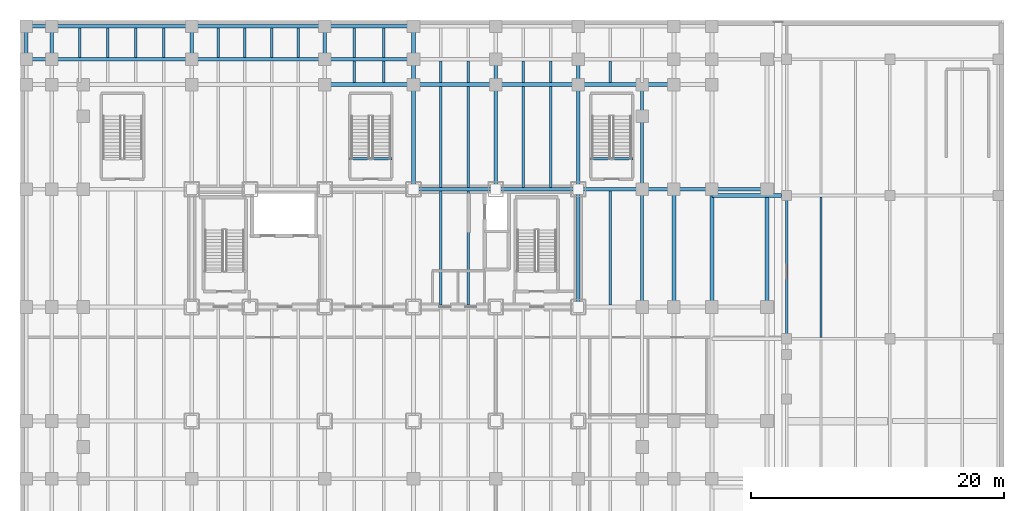
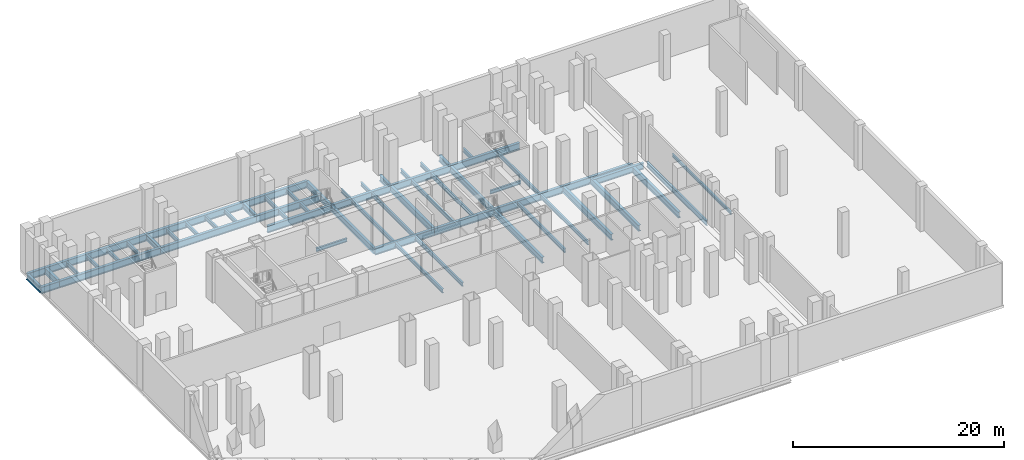
# One storey, part 5 of 15: 63 beams.
"""IFC4 building model written with IfcOpenShell, lengths in metres."""

from ifc_helpers import new_model, si_unit, direction, frame, origin, origin_2d, place, context, subcontext, project, spatial, i_section, extrude, material, material_profile, profile_set, type_object, element, save


model = new_model("IFC4")

# Units and contexts
model_context = context("Model", 3, precision=1e-05, world=origin(), true_north=direction((0.0, 1.0)))
body_context = subcontext(model_context, "Body", "Model", "MODEL_VIEW")
ifc_project = project(units=[si_unit("LENGTHUNIT", "METRE"), si_unit("AREAUNIT", "SQUARE_METRE"), si_unit("VOLUMEUNIT", "CUBIC_METRE"), si_unit("PLANEANGLEUNIT", "RADIAN"), si_unit("MASSUNIT", "GRAM", prefix="KILO")], contexts=[model_context])

# Site, building, storey
site_placement = place(None, origin())
site = spatial("IfcSite", under=ifc_project, at=site_placement, CompositionType="ELEMENT")
building_placement = place(site_placement, origin())
building = spatial("IfcBuilding", under=site, at=building_placement, Name="Noeulbin Bourse Tower", CompositionType="ELEMENT")
storey_placement = place(building_placement, frame((0.0, 0.0, -10.199951171875)))
storey = spatial("IfcBuildingStorey", under=building, at=storey_placement, Name="B02", CompositionType="ELEMENT", Elevation=-10.199951171875)

# Beams
ifc_material = material(Name="Steel S355", Category="steel")
ifc_material_profile_1 = material_profile(ifc_material, i_section(OverallWidth=0.199951171875, OverallDepth=0.60009765625, WebThickness=0.010986328125, FlangeThickness=0.01708984375, FilletRadius=0.02197265625, at=origin_2d()), Name="H-600x200x11x17", Category="LoadBearing")
ifc_profile_set_1 = profile_set([ifc_material_profile_1], Name="Steel S355")
beam_type_1 = type_object("IfcBeamType", Name="BM-GRD-600", PredefinedType="USERDEFINED", material=ifc_profile_set_1)
beam_1_placement = place(storey_placement, frame((60.449951171875, 26.5, -0.580078125), z_axis=(0.0, 1.0, 0.0), x_axis=(-1.0, 0.0, 0.0)))
element("IfcBeam", 1, at=beam_1_placement, inside=storey, type_object=beam_type_1, Name="Market Hall Girder NS B02-13", ObjectType="GIRDER", PredefinedType="USERDEFINED", context=body_context, shape_type="SweptSolid", body=[
    extrude(i_section(OverallWidth=0.199951171875, OverallDepth=0.60009765625, WebThickness=0.010986328125, FlangeThickness=0.01708984375, FilletRadius=0.02197265625, at=origin_2d()), origin(), (0.0, 0.0, 1.0), 11.300048828125),
])
ifc_material_profile_2 = material_profile(ifc_material, i_section(OverallWidth=0.300048828125, OverallDepth=0.699951171875, WebThickness=0.012939453125, FlangeThickness=0.02392578125, FilletRadius=0.02392578125, at=origin_2d()), Name="H-700x300x13x24", Category="LoadBearing")
ifc_profile_set_2 = profile_set([ifc_material_profile_2], Name="Steel S355")
beam_type_2 = type_object("IfcBeamType", Name="BM-GRD-700", PredefinedType="USERDEFINED", material=ifc_profile_set_2)
for number, where, z_axis, x_axis, name in (
    (2, (0.449951171875, 48.550048828125, -0.630126953125), (0.0, 1.0, 0.0), (-1.0, 0.0, 0.0), "Podium Primary Girder NS B02-080"),
    (3, (2.449951171875, 48.550048828125, -0.630126953125), (0.0, 1.0, 0.0), (-1.0, 0.0, 0.0), "Podium Primary Girder NS B02-088"),
    (4, (13.5, 48.550048828125, -0.630126953125), (0.0, 1.0, 0.0), (-1.0, 0.0, 0.0), "Podium Primary Girder NS B02-096"),
    (5, (24.0, 48.550048828125, -0.630126953125), (0.0, 1.0, 0.0), (-1.0, 0.0, 0.0), "Podium Primary Girder NS B02-104"),
):
    element("IfcBeam", number, at=place(storey_placement, frame(where, z_axis=z_axis, x_axis=x_axis)), inside=storey, type_object=beam_type_2, Name=name, ObjectType="GIRDER", PredefinedType="USERDEFINED", context=body_context, shape_type="SweptSolid", body=[
        extrude(i_section(OverallWidth=0.300048828125, OverallDepth=0.699951171875, WebThickness=0.012939453125, FlangeThickness=0.02392578125, FilletRadius=0.02392578125, at=origin_2d()), origin(), (0.0, 0.0, 1.0), 2.599853515625),
    ])
beam_2_placement = place(storey_placement, frame((31.0, 38.300048828125, -0.630126953125), z_axis=(0.0, 1.0, 0.0), x_axis=(-1.0, 0.0, 0.0)))
element("IfcBeam", 6, at=beam_2_placement, inside=storey, type_object=beam_type_2, Name="Podium Primary Girder NS B02-110", ObjectType="GIRDER", PredefinedType="USERDEFINED", context=body_context, shape_type="SweptSolid", body=[
    extrude(i_section(OverallWidth=0.300048828125, OverallDepth=0.699951171875, WebThickness=0.012939453125, FlangeThickness=0.02392578125, FilletRadius=0.02392578125, at=origin_2d()), origin(), (0.0, 0.0, 1.0), 8.25),
])
beam_3_placement = place(storey_placement, frame((31.0, 46.550048828125, -0.630126953125), z_axis=(0.0, 1.0, 0.0), x_axis=(-1.0, 0.0, 0.0)))
element("IfcBeam", 7, at=beam_3_placement, inside=storey, type_object=beam_type_2, Name="Podium Primary Girder NS B02-111", ObjectType="GIRDER", PredefinedType="USERDEFINED", context=body_context, shape_type="SweptSolid", body=[
    extrude(i_section(OverallWidth=0.300048828125, OverallDepth=0.699951171875, WebThickness=0.012939453125, FlangeThickness=0.02392578125, FilletRadius=0.02392578125, at=origin_2d()), origin(), (0.0, 0.0, 1.0), 2.0),
])
beam_4_placement = place(storey_placement, frame((31.0, 48.550048828125, -0.630126953125), z_axis=(0.0, 1.0, 0.0), x_axis=(-1.0, 0.0, 0.0)))
element("IfcBeam", 8, at=beam_4_placement, inside=storey, type_object=beam_type_2, Name="Podium Primary Girder NS B02-112", ObjectType="GIRDER", PredefinedType="USERDEFINED", context=body_context, shape_type="SweptSolid", body=[
    extrude(i_section(OverallWidth=0.300048828125, OverallDepth=0.699951171875, WebThickness=0.012939453125, FlangeThickness=0.02392578125, FilletRadius=0.02392578125, at=origin_2d()), origin(), (0.0, 0.0, 1.0), 2.599853515625),
])
beam_5_placement = place(storey_placement, frame((37.5, 38.300048828125, -0.630126953125), z_axis=(0.0, 1.0, 0.0), x_axis=(-1.0, 0.0, 0.0)))
element("IfcBeam", 9, at=beam_5_placement, inside=storey, type_object=beam_type_2, Name="Podium Primary Girder NS B02-117", ObjectType="GIRDER", PredefinedType="USERDEFINED", context=body_context, shape_type="SweptSolid", body=[
    extrude(i_section(OverallWidth=0.300048828125, OverallDepth=0.699951171875, WebThickness=0.012939453125, FlangeThickness=0.02392578125, FilletRadius=0.02392578125, at=origin_2d()), origin(), (0.0, 0.0, 1.0), 8.25),
])
beam_6_placement = place(storey_placement, frame((37.5, 46.550048828125, -0.630126953125), z_axis=(0.0, 1.0, 0.0), x_axis=(-1.0, 0.0, 0.0)))
element("IfcBeam", 10, at=beam_6_placement, inside=storey, type_object=beam_type_2, Name="Podium Primary Girder NS B02-118", ObjectType="GIRDER", PredefinedType="USERDEFINED", context=body_context, shape_type="SweptSolid", body=[
    extrude(i_section(OverallWidth=0.300048828125, OverallDepth=0.699951171875, WebThickness=0.012939453125, FlangeThickness=0.02392578125, FilletRadius=0.02392578125, at=origin_2d()), origin(), (0.0, 0.0, 1.0), 2.0),
])
beam_7_placement = place(storey_placement, frame((44.0, 29.0, -0.630126953125), z_axis=(0.0, 1.0, 0.0), x_axis=(-1.0, 0.0, 0.0)))
element("IfcBeam", 11, at=beam_7_placement, inside=storey, type_object=beam_type_2, Name="Podium Primary Girder NS B02-124", ObjectType="GIRDER", PredefinedType="USERDEFINED", context=body_context, shape_type="SweptSolid", body=[
    extrude(i_section(OverallWidth=0.300048828125, OverallDepth=0.699951171875, WebThickness=0.012939453125, FlangeThickness=0.02392578125, FilletRadius=0.02392578125, at=origin_2d()), origin(), (0.0, 0.0, 1.0), 9.300048828125),
])
beam_8_placement = place(storey_placement, frame((44.0, 38.300048828125, -0.630126953125), z_axis=(0.0, 1.0, 0.0), x_axis=(-1.0, 0.0, 0.0)))
element("IfcBeam", 12, at=beam_8_placement, inside=storey, type_object=beam_type_2, Name="Podium Primary Girder NS B02-125", ObjectType="GIRDER", PredefinedType="USERDEFINED", context=body_context, shape_type="SweptSolid", body=[
    extrude(i_section(OverallWidth=0.300048828125, OverallDepth=0.699951171875, WebThickness=0.012939453125, FlangeThickness=0.02392578125, FilletRadius=0.02392578125, at=origin_2d()), origin(), (0.0, 0.0, 1.0), 8.25),
])
beam_9_placement = place(storey_placement, frame((44.0, 46.550048828125, -0.630126953125), z_axis=(0.0, 1.0, 0.0), x_axis=(-1.0, 0.0, 0.0)))
element("IfcBeam", 13, at=beam_9_placement, inside=storey, type_object=beam_type_2, Name="Podium Primary Girder NS B02-126", ObjectType="GIRDER", PredefinedType="USERDEFINED", context=body_context, shape_type="SweptSolid", body=[
    extrude(i_section(OverallWidth=0.300048828125, OverallDepth=0.699951171875, WebThickness=0.012939453125, FlangeThickness=0.02392578125, FilletRadius=0.02392578125, at=origin_2d()), origin(), (0.0, 0.0, 1.0), 2.0),
])
for number, where, z_axis, x_axis, name in (
    (14, (51.550048828125, 29.0, -0.630126953125), (0.0, 1.0, 0.0), (-1.0, 0.0, 0.0), "Podium Primary Girder NS B02-132"),
    (15, (54.550048828125, 29.0, -0.630126953125), (0.0, 1.0, 0.0), (-1.0, 0.0, 0.0), "Podium Primary Girder NS B02-140"),
):
    element("IfcBeam", number, at=place(storey_placement, frame(where, z_axis=z_axis, x_axis=x_axis)), inside=storey, type_object=beam_type_2, Name=name, ObjectType="GIRDER", PredefinedType="USERDEFINED", context=body_context, shape_type="SweptSolid", body=[
        extrude(i_section(OverallWidth=0.300048828125, OverallDepth=0.699951171875, WebThickness=0.012939453125, FlangeThickness=0.02392578125, FilletRadius=0.02392578125, at=origin_2d()), origin(), (0.0, 0.0, 1.0), 9.300048828125),
    ])
beam_10_placement = place(storey_placement, frame((54.550048828125, 37.800048828125, -0.630126953125), z_axis=(1.0, 0.0, 0.0), x_axis=(0.0, 1.0, 0.0)))
element("IfcBeam", 16, at=beam_10_placement, inside=storey, type_object=beam_type_2, Name="Concourse Slot Girder B02-04", ObjectType="GIRDER", PredefinedType="USERDEFINED", context=body_context, shape_type="SweptSolid", body=[
    extrude(i_section(OverallWidth=0.300048828125, OverallDepth=0.699951171875, WebThickness=0.012939453125, FlangeThickness=0.02392578125, FilletRadius=0.02392578125, at=origin_2d()), origin(), (0.0, 0.0, 1.0), 5.5),
])
beam_11_placement = place(storey_placement, frame((54.550048828125, 38.300048828125, -0.630126953125), z_axis=(1.0, 0.0, 0.0), x_axis=(0.0, 1.0, 0.0)))
element("IfcBeam", 17, at=beam_11_placement, inside=storey, type_object=beam_type_2, Name="BM-B02-JNT-EW-5", ObjectType="GIRDER", PredefinedType="USERDEFINED", context=body_context, shape_type="SweptSolid", body=[
    extrude(i_section(OverallWidth=0.300048828125, OverallDepth=0.699951171875, WebThickness=0.012939453125, FlangeThickness=0.02392578125, FilletRadius=0.02392578125, at=origin_2d()), origin(), (0.0, 0.0, 1.0), 4.349853515625),
])
beam_12_placement = place(storey_placement, frame((58.89990234375, 29.0, -0.630126953125), z_axis=(0.0, 1.0, 0.0), x_axis=(-1.0, 0.0, 0.0)))
element("IfcBeam", 18, at=beam_12_placement, inside=storey, type_object=beam_type_2, Name="BM-B02-JNT-NS-4", ObjectType="GIRDER", PredefinedType="USERDEFINED", context=body_context, shape_type="SweptSolid", body=[
    extrude(i_section(OverallWidth=0.300048828125, OverallDepth=0.699951171875, WebThickness=0.012939453125, FlangeThickness=0.02392578125, FilletRadius=0.02392578125, at=origin_2d()), origin(), (0.0, 0.0, 1.0), 9.300048828125),
])
ifc_material_profile_3 = material_profile(ifc_material, i_section(OverallWidth=0.300048828125, OverallDepth=0.800048828125, WebThickness=0.013916015625, FlangeThickness=0.02587890625, FilletRadius=0.02587890625, at=origin_2d()), Name="H-800x300x14x26", Category="LoadBearing")
ifc_profile_set_3 = profile_set([ifc_material_profile_3], Name="Steel S355")
beam_type_3 = type_object("IfcBeamType", Name="BM-GRD-800", PredefinedType="USERDEFINED", material=ifc_profile_set_3)
for number, where, z_axis, x_axis, name in (
    (19, (31.0, 38.300048828125, -0.679931640625), (1.0, 0.0, 0.0), (0.0, 1.0, 0.0), "Podium Primary Girder EW B02-045"),
    (20, (37.5, 38.300048828125, -0.679931640625), (1.0, 0.0, 0.0), (0.0, 1.0, 0.0), "Podium Primary Girder EW B02-046"),
):
    element("IfcBeam", number, at=place(storey_placement, frame(where, z_axis=z_axis, x_axis=x_axis)), inside=storey, type_object=beam_type_3, Name=name, ObjectType="GIRDER", PredefinedType="USERDEFINED", context=body_context, shape_type="SweptSolid", body=[
        extrude(i_section(OverallWidth=0.300048828125, OverallDepth=0.800048828125, WebThickness=0.013916015625, FlangeThickness=0.02587890625, FilletRadius=0.02587890625, at=origin_2d()), origin(), (0.0, 0.0, 1.0), 6.5),
    ])
beam_13_placement = place(storey_placement, frame((44.0, 38.300048828125, -0.679931640625), z_axis=(1.0, 0.0, 0.0), x_axis=(0.0, 1.0, 0.0)))
element("IfcBeam", 21, at=beam_13_placement, inside=storey, type_object=beam_type_3, Name="Podium Primary Girder EW B02-047", ObjectType="GIRDER", PredefinedType="USERDEFINED", context=body_context, shape_type="SweptSolid", body=[
    extrude(i_section(OverallWidth=0.300048828125, OverallDepth=0.800048828125, WebThickness=0.013916015625, FlangeThickness=0.02587890625, FilletRadius=0.02587890625, at=origin_2d()), origin(), (0.0, 0.0, 1.0), 7.550048828125),
])
beam_14_placement = place(storey_placement, frame((51.550048828125, 38.300048828125, -0.679931640625), z_axis=(1.0, 0.0, 0.0), x_axis=(0.0, 1.0, 0.0)))
element("IfcBeam", 22, at=beam_14_placement, inside=storey, type_object=beam_type_3, Name="Podium Primary Girder EW B02-048", ObjectType="GIRDER", PredefinedType="USERDEFINED", context=body_context, shape_type="SweptSolid", body=[
    extrude(i_section(OverallWidth=0.300048828125, OverallDepth=0.800048828125, WebThickness=0.013916015625, FlangeThickness=0.02587890625, FilletRadius=0.02587890625, at=origin_2d()), origin(), (0.0, 0.0, 1.0), 3.0),
])
beam_15_placement = place(storey_placement, frame((24.0, 46.550048828125, -0.679931640625), z_axis=(1.0, 0.0, 0.0), x_axis=(0.0, 1.0, 0.0)))
element("IfcBeam", 23, at=beam_15_placement, inside=storey, type_object=beam_type_3, Name="Podium Primary Girder EW B02-052", ObjectType="GIRDER", PredefinedType="USERDEFINED", context=body_context, shape_type="SweptSolid", body=[
    extrude(i_section(OverallWidth=0.300048828125, OverallDepth=0.800048828125, WebThickness=0.013916015625, FlangeThickness=0.02587890625, FilletRadius=0.02587890625, at=origin_2d()), origin(), (0.0, 0.0, 1.0), 7.0),
])
for number, where, z_axis, x_axis, name in (
    (24, (31.0, 46.550048828125, -0.679931640625), (1.0, 0.0, 0.0), (0.0, 1.0, 0.0), "Podium Primary Girder EW B02-053"),
    (25, (37.5, 46.550048828125, -0.679931640625), (1.0, 0.0, 0.0), (0.0, 1.0, 0.0), "Podium Primary Girder EW B02-054"),
):
    element("IfcBeam", number, at=place(storey_placement, frame(where, z_axis=z_axis, x_axis=x_axis)), inside=storey, type_object=beam_type_3, Name=name, ObjectType="GIRDER", PredefinedType="USERDEFINED", context=body_context, shape_type="SweptSolid", body=[
        extrude(i_section(OverallWidth=0.300048828125, OverallDepth=0.800048828125, WebThickness=0.013916015625, FlangeThickness=0.02587890625, FilletRadius=0.02587890625, at=origin_2d()), origin(), (0.0, 0.0, 1.0), 6.5),
    ])
beam_16_placement = place(storey_placement, frame((44.0, 46.550048828125, -0.679931640625), z_axis=(1.0, 0.0, 0.0), x_axis=(0.0, 1.0, 0.0)))
element("IfcBeam", 26, at=beam_16_placement, inside=storey, type_object=beam_type_3, Name="Podium Primary Girder EW B02-055", ObjectType="GIRDER", PredefinedType="USERDEFINED", context=body_context, shape_type="SweptSolid", body=[
    extrude(i_section(OverallWidth=0.300048828125, OverallDepth=0.800048828125, WebThickness=0.013916015625, FlangeThickness=0.02587890625, FilletRadius=0.02587890625, at=origin_2d()), origin(), (0.0, 0.0, 1.0), 7.550048828125),
])
beam_17_placement = place(storey_placement, frame((0.449951171875, 48.550048828125, -0.679931640625), z_axis=(1.0, 0.0, 0.0), x_axis=(0.0, 1.0, 0.0)))
element("IfcBeam", 27, at=beam_17_placement, inside=storey, type_object=beam_type_3, Name="Podium Primary Girder EW B02-057", ObjectType="GIRDER", PredefinedType="USERDEFINED", context=body_context, shape_type="SweptSolid", body=[
    extrude(i_section(OverallWidth=0.300048828125, OverallDepth=0.800048828125, WebThickness=0.013916015625, FlangeThickness=0.02587890625, FilletRadius=0.02587890625, at=origin_2d()), origin(), (0.0, 0.0, 1.0), 2.0),
])
beam_18_placement = place(storey_placement, frame((2.449951171875, 48.550048828125, -0.679931640625), z_axis=(1.0, 0.0, 0.0), x_axis=(0.0, 1.0, 0.0)))
element("IfcBeam", 28, at=beam_18_placement, inside=storey, type_object=beam_type_3, Name="Podium Primary Girder EW B02-058", ObjectType="GIRDER", PredefinedType="USERDEFINED", context=body_context, shape_type="SweptSolid", body=[
    extrude(i_section(OverallWidth=0.300048828125, OverallDepth=0.800048828125, WebThickness=0.013916015625, FlangeThickness=0.02587890625, FilletRadius=0.02587890625, at=origin_2d()), origin(), (0.0, 0.0, 1.0), 11.050048828125),
])
beam_19_placement = place(storey_placement, frame((13.5, 48.550048828125, -0.679931640625), z_axis=(1.0, 0.0, 0.0), x_axis=(0.0, 1.0, 0.0)))
element("IfcBeam", 29, at=beam_19_placement, inside=storey, type_object=beam_type_3, Name="Podium Primary Girder EW B02-059", ObjectType="GIRDER", PredefinedType="USERDEFINED", context=body_context, shape_type="SweptSolid", body=[
    extrude(i_section(OverallWidth=0.300048828125, OverallDepth=0.800048828125, WebThickness=0.013916015625, FlangeThickness=0.02587890625, FilletRadius=0.02587890625, at=origin_2d()), origin(), (0.0, 0.0, 1.0), 10.5),
])
beam_20_placement = place(storey_placement, frame((24.0, 48.550048828125, -0.679931640625), z_axis=(1.0, 0.0, 0.0), x_axis=(0.0, 1.0, 0.0)))
element("IfcBeam", 30, at=beam_20_placement, inside=storey, type_object=beam_type_3, Name="Podium Primary Girder EW B02-060", ObjectType="GIRDER", PredefinedType="USERDEFINED", context=body_context, shape_type="SweptSolid", body=[
    extrude(i_section(OverallWidth=0.300048828125, OverallDepth=0.800048828125, WebThickness=0.013916015625, FlangeThickness=0.02587890625, FilletRadius=0.02587890625, at=origin_2d()), origin(), (0.0, 0.0, 1.0), 7.0),
])
beam_21_placement = place(storey_placement, frame((0.449951171875, 51.14990234375, -0.679931640625), z_axis=(1.0, 0.0, 0.0), x_axis=(0.0, 1.0, 0.0)))
element("IfcBeam", 31, at=beam_21_placement, inside=storey, type_object=beam_type_3, Name="Podium Primary Girder EW B02-065", ObjectType="GIRDER", PredefinedType="USERDEFINED", context=body_context, shape_type="SweptSolid", body=[
    extrude(i_section(OverallWidth=0.300048828125, OverallDepth=0.800048828125, WebThickness=0.013916015625, FlangeThickness=0.02587890625, FilletRadius=0.02587890625, at=origin_2d()), origin(), (0.0, 0.0, 1.0), 2.0),
])
beam_22_placement = place(storey_placement, frame((2.449951171875, 51.14990234375, -0.679931640625), z_axis=(1.0, 0.0, 0.0), x_axis=(0.0, 1.0, 0.0)))
element("IfcBeam", 32, at=beam_22_placement, inside=storey, type_object=beam_type_3, Name="Podium Primary Girder EW B02-066", ObjectType="GIRDER", PredefinedType="USERDEFINED", context=body_context, shape_type="SweptSolid", body=[
    extrude(i_section(OverallWidth=0.300048828125, OverallDepth=0.800048828125, WebThickness=0.013916015625, FlangeThickness=0.02587890625, FilletRadius=0.02587890625, at=origin_2d()), origin(), (0.0, 0.0, 1.0), 11.050048828125),
])
beam_23_placement = place(storey_placement, frame((13.5, 51.14990234375, -0.679931640625), z_axis=(1.0, 0.0, 0.0), x_axis=(0.0, 1.0, 0.0)))
element("IfcBeam", 33, at=beam_23_placement, inside=storey, type_object=beam_type_3, Name="Podium Primary Girder EW B02-067", ObjectType="GIRDER", PredefinedType="USERDEFINED", context=body_context, shape_type="SweptSolid", body=[
    extrude(i_section(OverallWidth=0.300048828125, OverallDepth=0.800048828125, WebThickness=0.013916015625, FlangeThickness=0.02587890625, FilletRadius=0.02587890625, at=origin_2d()), origin(), (0.0, 0.0, 1.0), 10.5),
])
beam_24_placement = place(storey_placement, frame((24.0, 51.14990234375, -0.679931640625), z_axis=(1.0, 0.0, 0.0), x_axis=(0.0, 1.0, 0.0)))
element("IfcBeam", 34, at=beam_24_placement, inside=storey, type_object=beam_type_3, Name="Podium Primary Girder EW B02-068", ObjectType="GIRDER", PredefinedType="USERDEFINED", context=body_context, shape_type="SweptSolid", body=[
    extrude(i_section(OverallWidth=0.300048828125, OverallDepth=0.800048828125, WebThickness=0.013916015625, FlangeThickness=0.02587890625, FilletRadius=0.02587890625, at=origin_2d()), origin(), (0.0, 0.0, 1.0), 7.0),
])
ifc_material_profile_4 = material_profile(ifc_material, i_section(OverallWidth=0.175048828125, OverallDepth=0.35009765625, WebThickness=0.007080078125, FlangeThickness=0.010986328125, FilletRadius=0.013916015625, at=origin_2d()), Name="H-350x175x7x11", Category="LoadBearing")
ifc_profile_set_4 = profile_set([ifc_material_profile_4], Name="Steel S355")
beam_type_4 = type_object("IfcBeamType", Name="BM-JST-350", PredefinedType="JOIST", material=ifc_profile_set_4)
beam_25_placement = place(storey_placement, frame((63.166748046875, 26.60009765625, -0.455078125), z_axis=(0.0, 1.0, 0.0), x_axis=(-1.0, 0.0, 0.0)))
element("IfcBeam", 35, at=beam_25_placement, inside=storey, type_object=beam_type_4, Name="Market Hall Secondary Joist B02-03", PredefinedType="JOIST", context=body_context, shape_type="SweptSolid", body=[
    extrude(i_section(OverallWidth=0.175048828125, OverallDepth=0.35009765625, WebThickness=0.007080078125, FlangeThickness=0.010986328125, FilletRadius=0.013916015625, at=origin_2d()), origin(), (0.0, 0.0, 1.0), 11.099853515625),
])
ifc_material_profile_5 = material_profile(ifc_material, i_section(OverallWidth=0.199951171875, OverallDepth=0.39990234375, WebThickness=0.008056640625, FlangeThickness=0.012939453125, FilletRadius=0.01611328125, at=origin_2d()), Name="H-400x200x8x13", Category="LoadBearing")
ifc_profile_set_5 = profile_set([ifc_material_profile_5], Name="Steel S355")
beam_type_5 = type_object("IfcBeamType", Name="BM-SEC-400", PredefinedType="BEAM", material=ifc_profile_set_5)
for number, where, z_axis, x_axis, name in (
    (36, (25.9599609375, 40.68994140625, -0.199951171875), (1.0, 0.0, 0.0), (0.0, 1.0, 0.0), "Stair Threshold Trimmer Beam STS2-B02"),
    (37, (44.9599609375, 40.68994140625, -0.199951171875), (1.0, 0.0, 0.0), (0.0, 1.0, 0.0), "Stair Threshold Trimmer Beam STS3-B02"),
):
    element("IfcBeam", number, at=place(storey_placement, frame(where, z_axis=z_axis, x_axis=x_axis)), inside=storey, type_object=beam_type_5, Name=name, PredefinedType="BEAM", context=body_context, shape_type="SweptSolid", body=[
        extrude(i_section(OverallWidth=0.199951171875, OverallDepth=0.39990234375, WebThickness=0.008056640625, FlangeThickness=0.012939453125, FilletRadius=0.01611328125, at=origin_2d()), origin(), (0.0, 0.0, 1.0), 3.360107421875),
    ])
ifc_material_profile_6 = material_profile(ifc_material, i_section(OverallWidth=0.199951171875, OverallDepth=0.449951171875, WebThickness=0.009033203125, FlangeThickness=0.013916015625, FilletRadius=0.01806640625, at=origin_2d()), Name="H-450x200x9x14", Category="LoadBearing")
ifc_profile_set_6 = profile_set([ifc_material_profile_6], Name="Steel S355")
beam_type_6 = type_object("IfcBeamType", Name="BM-SEC-450", PredefinedType="BEAM", material=ifc_profile_set_6)
for number, where, z_axis, x_axis, name in (
    (38, (4.659912109375, 48.699951171875, -0.505126953125), (0.0, 1.0, 0.0), (-1.0, 0.0, 0.0), "Podium Secondary Beam B02-008"),
    (39, (6.8701171875, 48.699951171875, -0.505126953125), (0.0, 1.0, 0.0), (-1.0, 0.0, 0.0), "Podium Secondary Beam B02-015"),
    (40, (9.080078125, 48.699951171875, -0.505126953125), (0.0, 1.0, 0.0), (-1.0, 0.0, 0.0), "Podium Secondary Beam B02-022"),
    (41, (11.2900390625, 48.699951171875, -0.505126953125), (0.0, 1.0, 0.0), (-1.0, 0.0, 0.0), "Podium Secondary Beam B02-030"),
    (42, (15.60009765625, 48.699951171875, -0.505126953125), (0.0, 1.0, 0.0), (-1.0, 0.0, 0.0), "Podium Secondary Beam B02-037"),
    (43, (17.699951171875, 48.699951171875, -0.505126953125), (0.0, 1.0, 0.0), (-1.0, 0.0, 0.0), "Podium Secondary Beam B02-044"),
    (44, (19.800048828125, 48.699951171875, -0.505126953125), (0.0, 1.0, 0.0), (-1.0, 0.0, 0.0), "Podium Secondary Beam B02-051"),
    (45, (21.89990234375, 48.699951171875, -0.505126953125), (0.0, 1.0, 0.0), (-1.0, 0.0, 0.0), "Podium Secondary Beam B02-058"),
):
    element("IfcBeam", number, at=place(storey_placement, frame(where, z_axis=z_axis, x_axis=x_axis)), inside=storey, type_object=beam_type_6, Name=name, PredefinedType="BEAM", context=body_context, shape_type="SweptSolid", body=[
        extrude(i_section(OverallWidth=0.199951171875, OverallDepth=0.449951171875, WebThickness=0.009033203125, FlangeThickness=0.013916015625, FilletRadius=0.01806640625, at=origin_2d()), origin(), (0.0, 0.0, 1.0), 2.300048828125),
    ])
beam_26_placement = place(storey_placement, frame((26.333251953125, 46.699951171875, -0.505126953125), z_axis=(0.0, 1.0, 0.0), x_axis=(-1.0, 0.0, 0.0)))
element("IfcBeam", 46, at=beam_26_placement, inside=storey, type_object=beam_type_6, Name="Podium Secondary Beam B02-064", PredefinedType="BEAM", context=body_context, shape_type="SweptSolid", body=[
    extrude(i_section(OverallWidth=0.199951171875, OverallDepth=0.449951171875, WebThickness=0.009033203125, FlangeThickness=0.013916015625, FilletRadius=0.01806640625, at=origin_2d()), origin(), (0.0, 0.0, 1.0), 1.699951171875),
])
beam_27_placement = place(storey_placement, frame((26.333251953125, 48.699951171875, -0.505126953125), z_axis=(0.0, 1.0, 0.0), x_axis=(-1.0, 0.0, 0.0)))
element("IfcBeam", 47, at=beam_27_placement, inside=storey, type_object=beam_type_6, Name="Podium Secondary Beam B02-065", PredefinedType="BEAM", context=body_context, shape_type="SweptSolid", body=[
    extrude(i_section(OverallWidth=0.199951171875, OverallDepth=0.449951171875, WebThickness=0.009033203125, FlangeThickness=0.013916015625, FilletRadius=0.01806640625, at=origin_2d()), origin(), (0.0, 0.0, 1.0), 2.300048828125),
])
beam_28_placement = place(storey_placement, frame((28.666748046875, 46.699951171875, -0.505126953125), z_axis=(0.0, 1.0, 0.0), x_axis=(-1.0, 0.0, 0.0)))
element("IfcBeam", 48, at=beam_28_placement, inside=storey, type_object=beam_type_6, Name="Podium Secondary Beam B02-071", PredefinedType="BEAM", context=body_context, shape_type="SweptSolid", body=[
    extrude(i_section(OverallWidth=0.199951171875, OverallDepth=0.449951171875, WebThickness=0.009033203125, FlangeThickness=0.013916015625, FilletRadius=0.01806640625, at=origin_2d()), origin(), (0.0, 0.0, 1.0), 1.699951171875),
])
beam_29_placement = place(storey_placement, frame((28.666748046875, 48.699951171875, -0.505126953125), z_axis=(0.0, 1.0, 0.0), x_axis=(-1.0, 0.0, 0.0)))
element("IfcBeam", 49, at=beam_29_placement, inside=storey, type_object=beam_type_6, Name="Podium Secondary Beam B02-072", PredefinedType="BEAM", context=body_context, shape_type="SweptSolid", body=[
    extrude(i_section(OverallWidth=0.199951171875, OverallDepth=0.449951171875, WebThickness=0.009033203125, FlangeThickness=0.013916015625, FilletRadius=0.01806640625, at=origin_2d()), origin(), (0.0, 0.0, 1.0), 2.300048828125),
])
beam_30_placement = place(storey_placement, frame((33.166748046875, 29.14990234375, -0.505126953125), z_axis=(0.0, 1.0, 0.0), x_axis=(-1.0, 0.0, 0.0)))
element("IfcBeam", 50, at=beam_30_placement, inside=storey, type_object=beam_type_6, Name="Podium Secondary Beam B02-077", PredefinedType="BEAM", context=body_context, shape_type="SweptSolid", body=[
    extrude(i_section(OverallWidth=0.199951171875, OverallDepth=0.449951171875, WebThickness=0.009033203125, FlangeThickness=0.013916015625, FilletRadius=0.01806640625, at=origin_2d()), origin(), (0.0, 0.0, 1.0), 9.0),
])
beam_31_placement = place(storey_placement, frame((33.166748046875, 38.449951171875, -0.505126953125), z_axis=(0.0, 1.0, 0.0), x_axis=(-1.0, 0.0, 0.0)))
element("IfcBeam", 51, at=beam_31_placement, inside=storey, type_object=beam_type_6, Name="Podium Secondary Beam B02-078", PredefinedType="BEAM", context=body_context, shape_type="SweptSolid", body=[
    extrude(i_section(OverallWidth=0.199951171875, OverallDepth=0.449951171875, WebThickness=0.009033203125, FlangeThickness=0.013916015625, FilletRadius=0.01806640625, at=origin_2d()), origin(), (0.0, 0.0, 1.0), 7.949951171875),
])
beam_32_placement = place(storey_placement, frame((33.166748046875, 46.699951171875, -0.505126953125), z_axis=(0.0, 1.0, 0.0), x_axis=(-1.0, 0.0, 0.0)))
element("IfcBeam", 52, at=beam_32_placement, inside=storey, type_object=beam_type_6, Name="Podium Secondary Beam B02-079", PredefinedType="BEAM", context=body_context, shape_type="SweptSolid", body=[
    extrude(i_section(OverallWidth=0.199951171875, OverallDepth=0.449951171875, WebThickness=0.009033203125, FlangeThickness=0.013916015625, FilletRadius=0.01806640625, at=origin_2d()), origin(), (0.0, 0.0, 1.0), 1.699951171875),
])
beam_33_placement = place(storey_placement, frame((35.333251953125, 29.14990234375, -0.505126953125), z_axis=(0.0, 1.0, 0.0), x_axis=(-1.0, 0.0, 0.0)))
element("IfcBeam", 53, at=beam_33_placement, inside=storey, type_object=beam_type_6, Name="Podium Secondary Beam B02-085", PredefinedType="BEAM", context=body_context, shape_type="SweptSolid", body=[
    extrude(i_section(OverallWidth=0.199951171875, OverallDepth=0.449951171875, WebThickness=0.009033203125, FlangeThickness=0.013916015625, FilletRadius=0.01806640625, at=origin_2d()), origin(), (0.0, 0.0, 1.0), 9.0),
])
beam_34_placement = place(storey_placement, frame((35.333251953125, 38.449951171875, -0.505126953125), z_axis=(0.0, 1.0, 0.0), x_axis=(-1.0, 0.0, 0.0)))
element("IfcBeam", 54, at=beam_34_placement, inside=storey, type_object=beam_type_6, Name="Podium Secondary Beam B02-086", PredefinedType="BEAM", context=body_context, shape_type="SweptSolid", body=[
    extrude(i_section(OverallWidth=0.199951171875, OverallDepth=0.449951171875, WebThickness=0.009033203125, FlangeThickness=0.013916015625, FilletRadius=0.01806640625, at=origin_2d()), origin(), (0.0, 0.0, 1.0), 7.949951171875),
])
beam_35_placement = place(storey_placement, frame((35.333251953125, 46.699951171875, -0.505126953125), z_axis=(0.0, 1.0, 0.0), x_axis=(-1.0, 0.0, 0.0)))
element("IfcBeam", 55, at=beam_35_placement, inside=storey, type_object=beam_type_6, Name="Podium Secondary Beam B02-087", PredefinedType="BEAM", context=body_context, shape_type="SweptSolid", body=[
    extrude(i_section(OverallWidth=0.199951171875, OverallDepth=0.449951171875, WebThickness=0.009033203125, FlangeThickness=0.013916015625, FilletRadius=0.01806640625, at=origin_2d()), origin(), (0.0, 0.0, 1.0), 1.699951171875),
])
beam_36_placement = place(storey_placement, frame((39.666748046875, 38.449951171875, -0.505126953125), z_axis=(0.0, 1.0, 0.0), x_axis=(-1.0, 0.0, 0.0)))
element("IfcBeam", 56, at=beam_36_placement, inside=storey, type_object=beam_type_6, Name="Podium Secondary Beam B02-093", PredefinedType="BEAM", context=body_context, shape_type="SweptSolid", body=[
    extrude(i_section(OverallWidth=0.199951171875, OverallDepth=0.449951171875, WebThickness=0.009033203125, FlangeThickness=0.013916015625, FilletRadius=0.01806640625, at=origin_2d()), origin(), (0.0, 0.0, 1.0), 7.949951171875),
])
beam_37_placement = place(storey_placement, frame((39.666748046875, 46.699951171875, -0.505126953125), z_axis=(0.0, 1.0, 0.0), x_axis=(-1.0, 0.0, 0.0)))
element("IfcBeam", 57, at=beam_37_placement, inside=storey, type_object=beam_type_6, Name="Podium Secondary Beam B02-094", PredefinedType="BEAM", context=body_context, shape_type="SweptSolid", body=[
    extrude(i_section(OverallWidth=0.199951171875, OverallDepth=0.449951171875, WebThickness=0.009033203125, FlangeThickness=0.013916015625, FilletRadius=0.01806640625, at=origin_2d()), origin(), (0.0, 0.0, 1.0), 1.699951171875),
])
beam_38_placement = place(storey_placement, frame((41.833251953125, 38.449951171875, -0.505126953125), z_axis=(0.0, 1.0, 0.0), x_axis=(-1.0, 0.0, 0.0)))
element("IfcBeam", 58, at=beam_38_placement, inside=storey, type_object=beam_type_6, Name="Podium Secondary Beam B02-100", PredefinedType="BEAM", context=body_context, shape_type="SweptSolid", body=[
    extrude(i_section(OverallWidth=0.199951171875, OverallDepth=0.449951171875, WebThickness=0.009033203125, FlangeThickness=0.013916015625, FilletRadius=0.01806640625, at=origin_2d()), origin(), (0.0, 0.0, 1.0), 7.949951171875),
])
beam_39_placement = place(storey_placement, frame((41.833251953125, 46.699951171875, -0.505126953125), z_axis=(0.0, 1.0, 0.0), x_axis=(-1.0, 0.0, 0.0)))
element("IfcBeam", 59, at=beam_39_placement, inside=storey, type_object=beam_type_6, Name="Podium Secondary Beam B02-101", PredefinedType="BEAM", context=body_context, shape_type="SweptSolid", body=[
    extrude(i_section(OverallWidth=0.199951171875, OverallDepth=0.449951171875, WebThickness=0.009033203125, FlangeThickness=0.013916015625, FilletRadius=0.01806640625, at=origin_2d()), origin(), (0.0, 0.0, 1.0), 1.699951171875),
])
beam_40_placement = place(storey_placement, frame((46.5166015625, 29.14990234375, -0.505126953125), z_axis=(0.0, 1.0, 0.0), x_axis=(-1.0, 0.0, 0.0)))
element("IfcBeam", 60, at=beam_40_placement, inside=storey, type_object=beam_type_6, Name="Podium Secondary Beam B02-107", PredefinedType="BEAM", context=body_context, shape_type="SweptSolid", body=[
    extrude(i_section(OverallWidth=0.199951171875, OverallDepth=0.449951171875, WebThickness=0.009033203125, FlangeThickness=0.013916015625, FilletRadius=0.01806640625, at=origin_2d()), origin(), (0.0, 0.0, 1.0), 9.0),
])
beam_41_placement = place(storey_placement, frame((46.5166015625, 46.699951171875, -0.505126953125), z_axis=(0.0, 1.0, 0.0), x_axis=(-1.0, 0.0, 0.0)))
element("IfcBeam", 61, at=beam_41_placement, inside=storey, type_object=beam_type_6, Name="Podium Secondary Beam B02-108", PredefinedType="BEAM", context=body_context, shape_type="SweptSolid", body=[
    extrude(i_section(OverallWidth=0.199951171875, OverallDepth=0.449951171875, WebThickness=0.009033203125, FlangeThickness=0.013916015625, FilletRadius=0.01806640625, at=origin_2d()), origin(), (0.0, 0.0, 1.0), 1.699951171875),
])
beam_42_placement = place(storey_placement, frame((49.033203125, 29.14990234375, -0.505126953125), z_axis=(0.0, 1.0, 0.0), x_axis=(-1.0, 0.0, 0.0)))
element("IfcBeam", 62, at=beam_42_placement, inside=storey, type_object=beam_type_6, Name="Podium Secondary Beam B02-114", PredefinedType="BEAM", context=body_context, shape_type="SweptSolid", body=[
    extrude(i_section(OverallWidth=0.199951171875, OverallDepth=0.449951171875, WebThickness=0.009033203125, FlangeThickness=0.013916015625, FilletRadius=0.01806640625, at=origin_2d()), origin(), (0.0, 0.0, 1.0), 9.0),
])
beam_43_placement = place(storey_placement, frame((49.033203125, 38.449951171875, -0.505126953125), z_axis=(0.0, 1.0, 0.0), x_axis=(-1.0, 0.0, 0.0)))
element("IfcBeam", 63, at=beam_43_placement, inside=storey, type_object=beam_type_6, Name="Podium Secondary Beam B02-115", PredefinedType="BEAM", context=body_context, shape_type="SweptSolid", body=[
    extrude(i_section(OverallWidth=0.199951171875, OverallDepth=0.449951171875, WebThickness=0.009033203125, FlangeThickness=0.013916015625, FilletRadius=0.01806640625, at=origin_2d()), origin(), (0.0, 0.0, 1.0), 7.949951171875),
])

save(model, "model.ifc")
